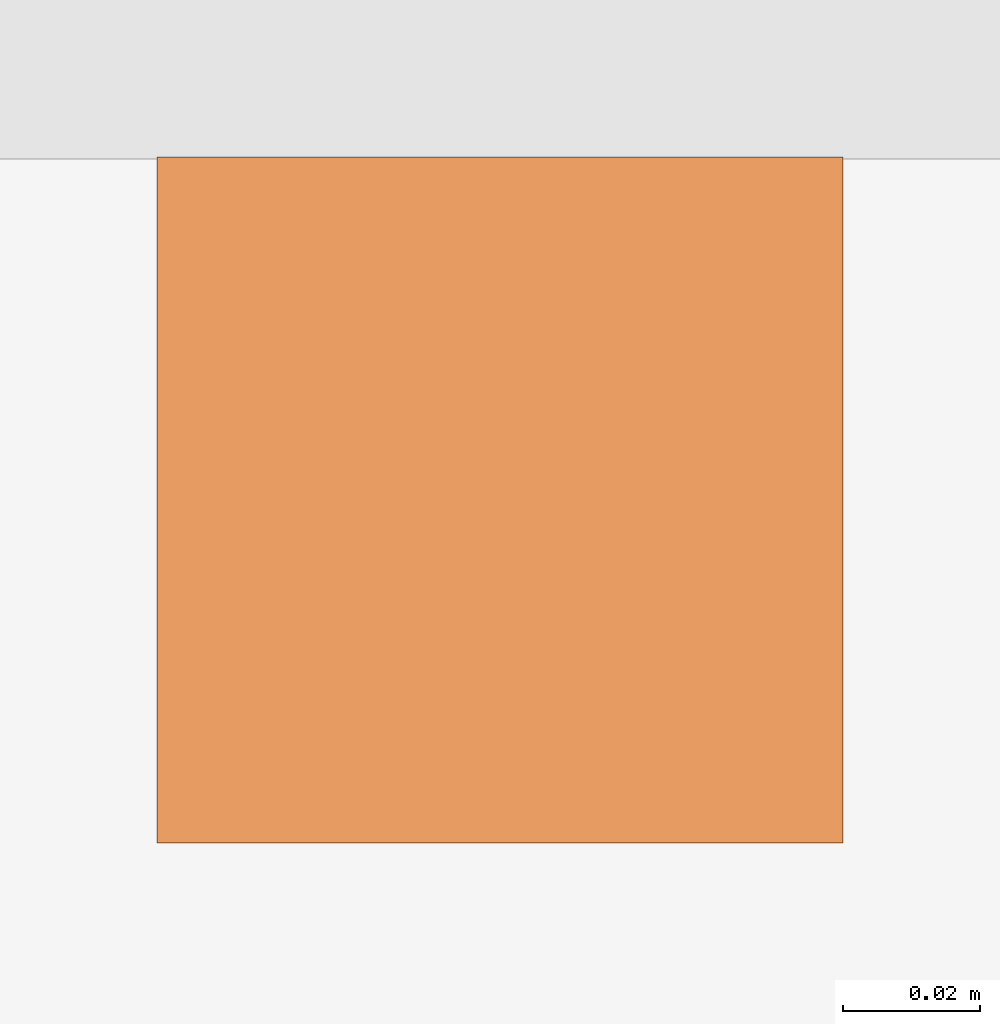
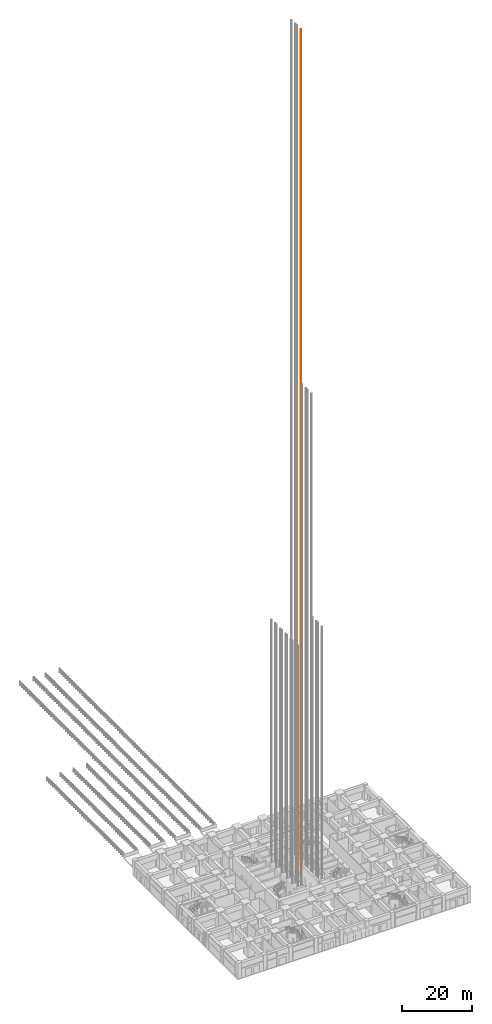
# One storey, part 75 of 81: 1 proxy.
"""IFC4 building model written with IfcOpenShell, lengths in metres."""

from ifc_helpers import new_model, si_unit, direction, frame, origin, origin_2d, place, context, subcontext, project, spatial, rectangle, extrude, material, type_object, element, save


model = new_model("IFC4")

# Units and contexts
model_context = context("Model", 3, precision=1e-05, world=origin(), true_north=direction((0.0, 1.0)))
body_context = subcontext(model_context, "Body", "Model", "MODEL_VIEW")
ifc_project = project(units=[si_unit("LENGTHUNIT", "METRE"), si_unit("AREAUNIT", "SQUARE_METRE"), si_unit("VOLUMEUNIT", "CUBIC_METRE"), si_unit("PLANEANGLEUNIT", "RADIAN"), si_unit("MASSUNIT", "GRAM", prefix="KILO")], contexts=[model_context])

# Site, building, storey
site_placement = place(None, origin())
site = spatial("IfcSite", under=ifc_project, at=site_placement, CompositionType="ELEMENT")
building_placement = place(site_placement, origin())
building = spatial("IfcBuilding", under=site, at=building_placement, Name="Rekha Terrace Tower", CompositionType="ELEMENT")
storey_placement = place(building_placement, origin())
storey = spatial("IfcBuildingStorey", under=building, at=storey_placement, Name="L00", CompositionType="ELEMENT", Elevation=0.0)

# Proxy
ifc_material = material(Name="Steel guide rail", Category="steel")
building_element_proxy_type = type_object("IfcBuildingElementProxyType", Name="LR1 100 lift guide rail", PredefinedType="ELEMENT", material=ifc_material)
proxy_placement = place(storey_placement, frame((41.14990234375, 35.800048828125, 0.0), z_axis=(0.0, 0.0, 1.0), x_axis=(1.0, 0.0, 0.0)))
element("IfcBuildingElementProxy", 1, at=proxy_placement, inside=storey, type_object=building_element_proxy_type, Name="Lift SH5 guide rail 1", PredefinedType="ELEMENT", context=body_context, shape_type="SweptSolid", body=[
    extrude(rectangle(XDim=0.10009765625, YDim=0.10009765625, at=origin_2d()), origin(), (0.0, 0.0, 1.0), 293.75),
])

save(model, "model.ifc")
